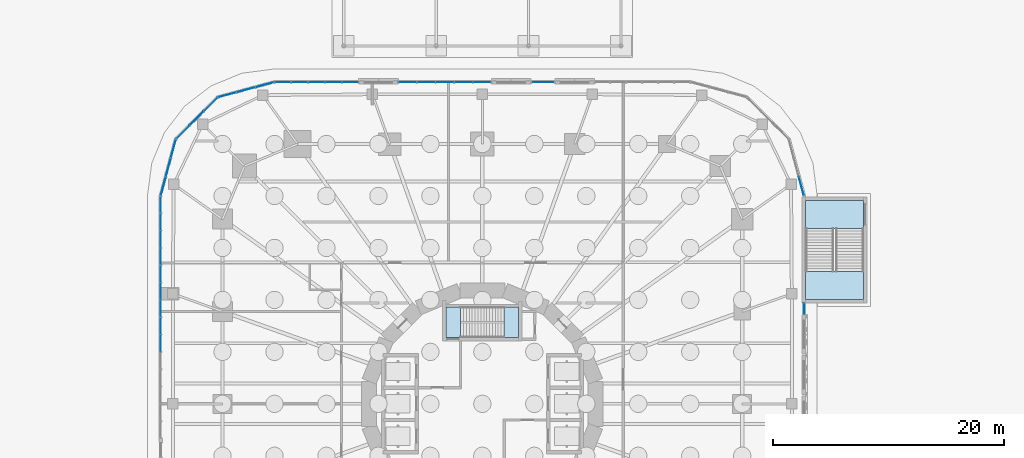
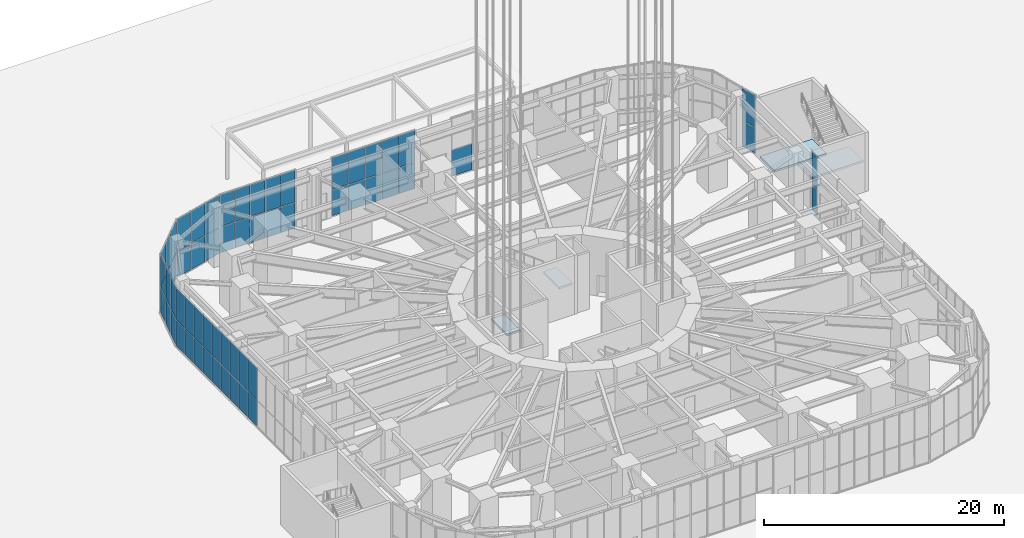
# One storey, part 24 of 43: 61 plates, 4 slabs, 11 elements without a shape of their own.
"""IFC4 building model written with IfcOpenShell, lengths in metres."""

from ifc_helpers import new_model, si_unit, direction, frame, origin, origin_2d, place, context, subcontext, project, spatial, polyline, rectangle, outline, extrude, material, layer, layer_set, type_object, element, aggregate, save


model = new_model("IFC4")

# Units and contexts
model_context = context("Model", 3, precision=1e-05, world=origin(), true_north=direction((0.0, 1.0)))
body_context = subcontext(model_context, "Body", "Model", "MODEL_VIEW")
ifc_project = project(units=[si_unit("LENGTHUNIT", "METRE"), si_unit("AREAUNIT", "SQUARE_METRE"), si_unit("VOLUMEUNIT", "CUBIC_METRE"), si_unit("PLANEANGLEUNIT", "RADIAN"), si_unit("MASSUNIT", "GRAM", prefix="KILO")], contexts=[model_context])

# Site, building, storey
site_placement = place(None, origin())
site = spatial("IfcSite", under=ifc_project, at=site_placement, CompositionType="ELEMENT")
building_placement = place(site_placement, origin())
building = spatial("IfcBuilding", under=site, at=building_placement, Name="Nakasero Lantern House", CompositionType="ELEMENT")
storey_placement = place(building_placement, origin())
storey = spatial("IfcBuildingStorey", under=building, at=storey_placement, Name="L00", CompositionType="ELEMENT", Elevation=0.0)

# Curtain wall, plates
ifc_material_1 = material(Name="Aluminium 6063-T6 and glass", Category="aluminium")
curtain_wall_type = type_object("IfcCurtainWallType", Name="Podium shopfront glazing CW-1", PredefinedType="USERDEFINED", material=ifc_material_1)
curtain_wall_1_placement = place(storey_placement, origin())
curtain_wall_1 = element("IfcCurtainWall", 1, at=curtain_wall_1_placement, inside=storey, type_object=curtain_wall_type, Name="Curtain wall CW-1 L00", ObjectType="STICK CURTAIN WALL", PredefinedType="USERDEFINED")
ifc_material_2 = material(Name="Glass", Category="glass")
ifc_layer_1 = layer(ifc_material_2, 0.028076171875)
ifc_layer_set_1 = layer_set([ifc_layer_1], Name="Glazed panel CW-1")
plate_type = type_object("IfcPlateType", Name="Glazed panel CW-1", PredefinedType="CURTAIN_PANEL", material=ifc_layer_set_1)
plate_1_placement = place(storey_placement, frame((27.85009765625, 8.22509765625, 0.06005859375), z_axis=(0.0, 0.0, 1.0), x_axis=(0.0, 1.0, 0.0)))
plate_1 = element("IfcPlate", 2, at=plate_1_placement, type_object=plate_type, Name="CW-1 panel 1.1", PredefinedType="CURTAIN_PANEL", context=body_context, shape_type="SweptSolid", body=[
    extrude(rectangle(XDim=0.929931640625, YDim=0.028076171875, at=origin_2d()), origin(), (0.0, 0.0, 1.0), 2.610107421875),
])
plate_2_placement = place(storey_placement, frame((27.85009765625, 8.22509765625, 2.72998046875), z_axis=(0.0, 0.0, 1.0), x_axis=(0.0, 1.0, 0.0)))
plate_2 = element("IfcPlate", 3, at=plate_2_placement, type_object=plate_type, Name="CW-1 panel 1.2", PredefinedType="CURTAIN_PANEL", context=body_context, shape_type="SweptSolid", body=[
    extrude(rectangle(XDim=0.929931640625, YDim=0.028076171875, at=origin_2d()), origin(), (0.0, 0.0, 1.0), 3.2099609375),
])
aggregate(curtain_wall_1, [plate_1, plate_2])

curtain_wall_2_placement = place(storey_placement, origin())
curtain_wall_2 = element("IfcCurtainWall", 4, at=curtain_wall_2_placement, inside=storey, type_object=curtain_wall_type, Name="Curtain wall CW-1 L00", ObjectType="STICK CURTAIN WALL", PredefinedType="USERDEFINED")
plate_3_placement = place(storey_placement, frame((27.626220703125, 18.835205078125, 0.06005859375), z_axis=(0.0, 0.0, 1.0), x_axis=(-0.258819045153, 0.965925826276, 0.0)))
plate_3 = element("IfcPlate", 5, at=plate_3_placement, type_object=plate_type, Name="CW-1 panel 1.1", PredefinedType="CURTAIN_PANEL", context=body_context, shape_type="SweptSolid", body=[
    extrude(rectangle(XDim=1.609619140625, YDim=0.028076171875, at=origin_2d()), origin(), (0.0, 0.0, 1.0), 2.610107421875),
])
plate_4_placement = place(storey_placement, frame((27.626220703125, 18.835205078125, 2.72998046875), z_axis=(0.0, 0.0, 1.0), x_axis=(-0.258819045153, 0.965925826276, 0.0)))
plate_4 = element("IfcPlate", 6, at=plate_4_placement, type_object=plate_type, Name="CW-1 panel 1.2", PredefinedType="CURTAIN_PANEL", context=body_context, shape_type="SweptSolid", body=[
    extrude(rectangle(XDim=1.609619140625, YDim=0.028076171875, at=origin_2d()), origin(), (0.0, 0.0, 1.0), 3.2099609375),
])
aggregate(curtain_wall_2, [plate_3, plate_4])

# Curtain wall, plate
curtain_wall_3_placement = place(storey_placement, origin())
curtain_wall_3 = element("IfcCurtainWall", 7, at=curtain_wall_3_placement, inside=storey, type_object=curtain_wall_type, Name="Curtain wall CW-1 L00", ObjectType="STICK CURTAIN WALL", PredefinedType="USERDEFINED")
plate_5_placement = place(storey_placement, frame((5.25, 27.85009765625, 0.06005859375), z_axis=(0.0, 0.0, 1.0), x_axis=(-1.0, 0.0, 0.0)))
plate_5 = element("IfcPlate", 8, at=plate_5_placement, type_object=plate_type, Name="CW-1 panel 1.1", PredefinedType="CURTAIN_PANEL", context=body_context, shape_type="SweptSolid", body=[
    extrude(rectangle(XDim=1.97998046875, YDim=0.028076171875, at=origin_2d()), origin(), (0.0, 0.0, 1.0), 2.610107421875),
])
aggregate(curtain_wall_3, [plate_5])

# Curtain wall, plates
curtain_wall_4_placement = place(storey_placement, origin())
curtain_wall_4 = element("IfcCurtainWall", 9, at=curtain_wall_4_placement, inside=storey, type_object=curtain_wall_type, Name="Curtain wall CW-1 L00", ObjectType="STICK CURTAIN WALL", PredefinedType="USERDEFINED")
plate_6_placement = place(storey_placement, frame((-0.02490234375, 27.85009765625, 0.06005859375), z_axis=(0.0, 0.0, 1.0), x_axis=(-1.0, 0.0, 0.0)))
plate_6 = element("IfcPlate", 10, at=plate_6_placement, type_object=plate_type, Name="CW-1 panel 1.1", PredefinedType="CURTAIN_PANEL", context=body_context, shape_type="SweptSolid", body=[
    extrude(rectangle(XDim=1.530029296875, YDim=0.028076171875, at=origin_2d()), origin(), (0.0, 0.0, 1.0), 2.610107421875),
])
plate_7_placement = place(storey_placement, frame((-0.02490234375, 27.85009765625, 2.72998046875), z_axis=(0.0, 0.0, 1.0), x_axis=(-1.0, 0.0, 0.0)))
plate_7 = element("IfcPlate", 11, at=plate_7_placement, type_object=plate_type, Name="CW-1 panel 1.2", PredefinedType="CURTAIN_PANEL", context=body_context, shape_type="SweptSolid", body=[
    extrude(rectangle(XDim=1.530029296875, YDim=0.028076171875, at=origin_2d()), origin(), (0.0, 0.0, 1.0), 3.2099609375),
])
plate_8_placement = place(storey_placement, frame((-1.6298828125, 27.85009765625, 0.06005859375), z_axis=(0.0, 0.0, 1.0), x_axis=(-1.0, 0.0, 0.0)))
plate_8 = element("IfcPlate", 12, at=plate_8_placement, type_object=plate_type, Name="CW-1 panel 2.1", PredefinedType="CURTAIN_PANEL", context=body_context, shape_type="SweptSolid", body=[
    extrude(rectangle(XDim=1.56005859375, YDim=0.028076171875, at=origin_2d()), origin(), (0.0, 0.0, 1.0), 2.610107421875),
])
plate_9_placement = place(storey_placement, frame((-1.6298828125, 27.85009765625, 2.72998046875), z_axis=(0.0, 0.0, 1.0), x_axis=(-1.0, 0.0, 0.0)))
plate_9 = element("IfcPlate", 13, at=plate_9_placement, type_object=plate_type, Name="CW-1 panel 2.2", PredefinedType="CURTAIN_PANEL", context=body_context, shape_type="SweptSolid", body=[
    extrude(rectangle(XDim=1.56005859375, YDim=0.028076171875, at=origin_2d()), origin(), (0.0, 0.0, 1.0), 3.2099609375),
])
plate_10_placement = place(storey_placement, frame((-3.25, 27.85009765625, 0.06005859375), z_axis=(0.0, 0.0, 1.0), x_axis=(-1.0, 0.0, 0.0)))
plate_10 = element("IfcPlate", 14, at=plate_10_placement, type_object=plate_type, Name="CW-1 panel 3.1", PredefinedType="CURTAIN_PANEL", context=body_context, shape_type="SweptSolid", body=[
    extrude(rectangle(XDim=1.56005859375, YDim=0.028076171875, at=origin_2d()), origin(), (0.0, 0.0, 1.0), 2.610107421875),
])
plate_11_placement = place(storey_placement, frame((-3.25, 27.85009765625, 2.72998046875), z_axis=(0.0, 0.0, 1.0), x_axis=(-1.0, 0.0, 0.0)))
plate_11 = element("IfcPlate", 15, at=plate_11_placement, type_object=plate_type, Name="CW-1 panel 3.2", PredefinedType="CURTAIN_PANEL", context=body_context, shape_type="SweptSolid", body=[
    extrude(rectangle(XDim=1.56005859375, YDim=0.028076171875, at=origin_2d()), origin(), (0.0, 0.0, 1.0), 3.2099609375),
])
plate_12_placement = place(storey_placement, frame((-4.8701171875, 27.85009765625, 0.06005859375), z_axis=(0.0, 0.0, 1.0), x_axis=(-1.0, 0.0, 0.0)))
plate_12 = element("IfcPlate", 16, at=plate_12_placement, type_object=plate_type, Name="CW-1 panel 4.1", PredefinedType="CURTAIN_PANEL", context=body_context, shape_type="SweptSolid", body=[
    extrude(rectangle(XDim=1.56005859375, YDim=0.028076171875, at=origin_2d()), origin(), (0.0, 0.0, 1.0), 2.610107421875),
])
plate_13_placement = place(storey_placement, frame((-4.8701171875, 27.85009765625, 2.72998046875), z_axis=(0.0, 0.0, 1.0), x_axis=(-1.0, 0.0, 0.0)))
plate_13 = element("IfcPlate", 17, at=plate_13_placement, type_object=plate_type, Name="CW-1 panel 4.2", PredefinedType="CURTAIN_PANEL", context=body_context, shape_type="SweptSolid", body=[
    extrude(rectangle(XDim=1.56005859375, YDim=0.028076171875, at=origin_2d()), origin(), (0.0, 0.0, 1.0), 3.2099609375),
])
plate_14_placement = place(storey_placement, frame((-6.47509765625, 27.85009765625, 0.06005859375), z_axis=(0.0, 0.0, 1.0), x_axis=(-1.0, 0.0, 0.0)))
plate_14 = element("IfcPlate", 18, at=plate_14_placement, type_object=plate_type, Name="CW-1 panel 5.1", PredefinedType="CURTAIN_PANEL", context=body_context, shape_type="SweptSolid", body=[
    extrude(rectangle(XDim=1.530029296875, YDim=0.028076171875, at=origin_2d()), origin(), (0.0, 0.0, 1.0), 2.610107421875),
])
plate_15_placement = place(storey_placement, frame((-6.47509765625, 27.85009765625, 2.72998046875), z_axis=(0.0, 0.0, 1.0), x_axis=(-1.0, 0.0, 0.0)))
plate_15 = element("IfcPlate", 19, at=plate_15_placement, type_object=plate_type, Name="CW-1 panel 5.2", PredefinedType="CURTAIN_PANEL", context=body_context, shape_type="SweptSolid", body=[
    extrude(rectangle(XDim=1.530029296875, YDim=0.028076171875, at=origin_2d()), origin(), (0.0, 0.0, 1.0), 3.2099609375),
])
aggregate(curtain_wall_4, [plate_6, plate_7, plate_8, plate_9, plate_10, plate_11, plate_12, plate_13, plate_14, plate_15])

curtain_wall_5_placement = place(storey_placement, origin())
curtain_wall_5 = element("IfcCurtainWall", 20, at=curtain_wall_5_placement, inside=storey, type_object=curtain_wall_type, Name="Curtain wall CW-1 L00", ObjectType="STICK CURTAIN WALL", PredefinedType="USERDEFINED")
plate_16_placement = place(storey_placement, frame((-11.445068359375, 27.85009765625, 0.06005859375), z_axis=(0.0, 0.0, 1.0), x_axis=(-1.0, 0.0, 0.0)))
plate_16 = element("IfcPlate", 21, at=plate_16_placement, type_object=plate_type, Name="CW-1 panel 1.1", PredefinedType="CURTAIN_PANEL", context=body_context, shape_type="SweptSolid", body=[
    extrude(rectangle(XDim=1.3701171875, YDim=0.028076171875, at=origin_2d()), origin(), (0.0, 0.0, 1.0), 2.610107421875),
])
plate_17_placement = place(storey_placement, frame((-11.445068359375, 27.85009765625, 2.72998046875), z_axis=(0.0, 0.0, 1.0), x_axis=(-1.0, 0.0, 0.0)))
plate_17 = element("IfcPlate", 22, at=plate_17_placement, type_object=plate_type, Name="CW-1 panel 1.2", PredefinedType="CURTAIN_PANEL", context=body_context, shape_type="SweptSolid", body=[
    extrude(rectangle(XDim=1.3701171875, YDim=0.028076171875, at=origin_2d()), origin(), (0.0, 0.0, 1.0), 3.2099609375),
])
plate_18_placement = place(storey_placement, frame((-12.889892578125, 27.85009765625, 0.06005859375), z_axis=(0.0, 0.0, 1.0), x_axis=(-1.0, 0.0, 0.0)))
plate_18 = element("IfcPlate", 23, at=plate_18_placement, type_object=plate_type, Name="CW-1 panel 2.1", PredefinedType="CURTAIN_PANEL", context=body_context, shape_type="SweptSolid", body=[
    extrude(rectangle(XDim=1.39990234375, YDim=0.028076171875, at=origin_2d()), origin(), (0.0, 0.0, 1.0), 2.610107421875),
])
plate_19_placement = place(storey_placement, frame((-12.889892578125, 27.85009765625, 2.72998046875), z_axis=(0.0, 0.0, 1.0), x_axis=(-1.0, 0.0, 0.0)))
plate_19 = element("IfcPlate", 24, at=plate_19_placement, type_object=plate_type, Name="CW-1 panel 2.2", PredefinedType="CURTAIN_PANEL", context=body_context, shape_type="SweptSolid", body=[
    extrude(rectangle(XDim=1.39990234375, YDim=0.028076171875, at=origin_2d()), origin(), (0.0, 0.0, 1.0), 3.2099609375),
])
plate_20_placement = place(storey_placement, frame((-14.35009765625, 27.85009765625, 0.06005859375), z_axis=(0.0, 0.0, 1.0), x_axis=(-1.0, 0.0, 0.0)))
plate_20 = element("IfcPlate", 25, at=plate_20_placement, type_object=plate_type, Name="CW-1 panel 3.1", PredefinedType="CURTAIN_PANEL", context=body_context, shape_type="SweptSolid", body=[
    extrude(rectangle(XDim=1.39990234375, YDim=0.028076171875, at=origin_2d()), origin(), (0.0, 0.0, 1.0), 2.610107421875),
])
plate_21_placement = place(storey_placement, frame((-14.35009765625, 27.85009765625, 2.72998046875), z_axis=(0.0, 0.0, 1.0), x_axis=(-1.0, 0.0, 0.0)))
plate_21 = element("IfcPlate", 26, at=plate_21_placement, type_object=plate_type, Name="CW-1 panel 3.2", PredefinedType="CURTAIN_PANEL", context=body_context, shape_type="SweptSolid", body=[
    extrude(rectangle(XDim=1.39990234375, YDim=0.028076171875, at=origin_2d()), origin(), (0.0, 0.0, 1.0), 3.2099609375),
])
plate_22_placement = place(storey_placement, frame((-15.81005859375, 27.85009765625, 0.06005859375), z_axis=(0.0, 0.0, 1.0), x_axis=(-1.0, 0.0, 0.0)))
plate_22 = element("IfcPlate", 27, at=plate_22_placement, type_object=plate_type, Name="CW-1 panel 4.1", PredefinedType="CURTAIN_PANEL", context=body_context, shape_type="SweptSolid", body=[
    extrude(rectangle(XDim=1.39990234375, YDim=0.028076171875, at=origin_2d()), origin(), (0.0, 0.0, 1.0), 2.610107421875),
])
plate_23_placement = place(storey_placement, frame((-15.81005859375, 27.85009765625, 2.72998046875), z_axis=(0.0, 0.0, 1.0), x_axis=(-1.0, 0.0, 0.0)))
plate_23 = element("IfcPlate", 28, at=plate_23_placement, type_object=plate_type, Name="CW-1 panel 4.2", PredefinedType="CURTAIN_PANEL", context=body_context, shape_type="SweptSolid", body=[
    extrude(rectangle(XDim=1.39990234375, YDim=0.028076171875, at=origin_2d()), origin(), (0.0, 0.0, 1.0), 3.2099609375),
])
plate_24_placement = place(storey_placement, frame((-17.2548828125, 27.85009765625, 0.06005859375), z_axis=(0.0, 0.0, 1.0), x_axis=(-1.0, 0.0, 0.0)))
plate_24 = element("IfcPlate", 29, at=plate_24_placement, type_object=plate_type, Name="CW-1 panel 5.1", PredefinedType="CURTAIN_PANEL", context=body_context, shape_type="SweptSolid", body=[
    extrude(rectangle(XDim=1.3701171875, YDim=0.028076171875, at=origin_2d()), origin(), (0.0, 0.0, 1.0), 2.610107421875),
])
plate_25_placement = place(storey_placement, frame((-17.2548828125, 27.85009765625, 2.72998046875), z_axis=(0.0, 0.0, 1.0), x_axis=(-1.0, 0.0, 0.0)))
plate_25 = element("IfcPlate", 30, at=plate_25_placement, type_object=plate_type, Name="CW-1 panel 5.2", PredefinedType="CURTAIN_PANEL", context=body_context, shape_type="SweptSolid", body=[
    extrude(rectangle(XDim=1.3701171875, YDim=0.028076171875, at=origin_2d()), origin(), (0.0, 0.0, 1.0), 3.2099609375),
])
aggregate(curtain_wall_5, [plate_16, plate_17, plate_18, plate_19, plate_20, plate_21, plate_22, plate_23, plate_24, plate_25])

curtain_wall_6_placement = place(storey_placement, origin())
curtain_wall_6 = element("IfcCurtainWall", 31, at=curtain_wall_6_placement, inside=storey, type_object=curtain_wall_type, Name="Curtain wall CW-1 L00", ObjectType="STICK CURTAIN WALL", PredefinedType="USERDEFINED")
plate_26_placement = place(storey_placement, frame((-18.835205078125, 27.626220703125, 0.06005859375), z_axis=(0.0, 0.0, 1.0), x_axis=(-0.965925826276, -0.258819045153, 0.0)))
plate_26 = element("IfcPlate", 32, at=plate_26_placement, type_object=plate_type, Name="CW-1 panel 1.1", PredefinedType="CURTAIN_PANEL", context=body_context, shape_type="SweptSolid", body=[
    extrude(rectangle(XDim=1.609619140625, YDim=0.028076171875, at=origin_2d()), origin(), (0.0, 0.0, 1.0), 2.610107421875),
])
plate_27_placement = place(storey_placement, frame((-18.835205078125, 27.626220703125, 2.72998046875), z_axis=(0.0, 0.0, 1.0), x_axis=(-0.965925826276, -0.258819045153, 0.0)))
plate_27 = element("IfcPlate", 33, at=plate_27_placement, type_object=plate_type, Name="CW-1 panel 1.2", PredefinedType="CURTAIN_PANEL", context=body_context, shape_type="SweptSolid", body=[
    extrude(rectangle(XDim=1.609619140625, YDim=0.028076171875, at=origin_2d()), origin(), (0.0, 0.0, 1.0), 3.2099609375),
])
plate_28_placement = place(storey_placement, frame((-20.46240234375, 27.190185546875, 0.06005859375), z_axis=(0.0, 0.0, 1.0), x_axis=(-0.965925826276, -0.258819045153, 0.0)))
plate_28 = element("IfcPlate", 34, at=plate_28_placement, type_object=plate_type, Name="CW-1 panel 2.1", PredefinedType="CURTAIN_PANEL", context=body_context, shape_type="SweptSolid", body=[
    extrude(rectangle(XDim=1.6396484375, YDim=0.028076171875, at=origin_2d()), origin(), (0.0, 0.0, 1.0), 2.610107421875),
])
plate_29_placement = place(storey_placement, frame((-20.46240234375, 27.190185546875, 2.72998046875), z_axis=(0.0, 0.0, 1.0), x_axis=(-0.965925826276, -0.258819045153, 0.0)))
plate_29 = element("IfcPlate", 35, at=plate_29_placement, type_object=plate_type, Name="CW-1 panel 2.2", PredefinedType="CURTAIN_PANEL", context=body_context, shape_type="SweptSolid", body=[
    extrude(rectangle(XDim=1.6396484375, YDim=0.028076171875, at=origin_2d()), origin(), (0.0, 0.0, 1.0), 3.2099609375),
])
plate_30_placement = place(storey_placement, frame((-22.089599609375, 26.754150390625, 0.06005859375), z_axis=(0.0, 0.0, 1.0), x_axis=(-0.965925826276, -0.258819045153, 0.0)))
plate_30 = element("IfcPlate", 36, at=plate_30_placement, type_object=plate_type, Name="CW-1 panel 3.1", PredefinedType="CURTAIN_PANEL", context=body_context, shape_type="SweptSolid", body=[
    extrude(rectangle(XDim=1.609619140625, YDim=0.028076171875, at=origin_2d()), origin(), (0.0, 0.0, 1.0), 2.610107421875),
])
plate_31_placement = place(storey_placement, frame((-22.089599609375, 26.754150390625, 2.72998046875), z_axis=(0.0, 0.0, 1.0), x_axis=(-0.965925826276, -0.258819045153, 0.0)))
plate_31 = element("IfcPlate", 37, at=plate_31_placement, type_object=plate_type, Name="CW-1 panel 3.2", PredefinedType="CURTAIN_PANEL", context=body_context, shape_type="SweptSolid", body=[
    extrude(rectangle(XDim=1.609619140625, YDim=0.028076171875, at=origin_2d()), origin(), (0.0, 0.0, 1.0), 3.2099609375),
])
aggregate(curtain_wall_6, [plate_26, plate_27, plate_28, plate_29, plate_30, plate_31])

curtain_wall_7_placement = place(storey_placement, origin())
curtain_wall_7 = element("IfcCurtainWall", 38, at=curtain_wall_7_placement, inside=storey, type_object=curtain_wall_type, Name="Curtain wall CW-1 L00", ObjectType="STICK CURTAIN WALL", PredefinedType="USERDEFINED")
plate_32_placement = place(storey_placement, frame((-23.536376953125, 25.9189453125, 0.06005859375), z_axis=(0.0, 0.0, 1.0), x_axis=(-0.707106781187, -0.707106781187, 0.0)))
plate_32 = element("IfcPlate", 39, at=plate_32_placement, type_object=plate_type, Name="CW-1 panel 1.1", PredefinedType="CURTAIN_PANEL", context=body_context, shape_type="SweptSolid", body=[
    extrude(rectangle(XDim=1.609619140625, YDim=0.028076171875, at=origin_2d()), origin(), (0.0, 0.0, 1.0), 2.610107421875),
])
plate_33_placement = place(storey_placement, frame((-23.536376953125, 25.9189453125, 2.72998046875), z_axis=(0.0, 0.0, 1.0), x_axis=(-0.707106781187, -0.707106781187, 0.0)))
plate_33 = element("IfcPlate", 40, at=plate_33_placement, type_object=plate_type, Name="CW-1 panel 1.2", PredefinedType="CURTAIN_PANEL", context=body_context, shape_type="SweptSolid", body=[
    extrude(rectangle(XDim=1.609619140625, YDim=0.028076171875, at=origin_2d()), origin(), (0.0, 0.0, 1.0), 3.2099609375),
])
plate_34_placement = place(storey_placement, frame((-24.727783203125, 24.727783203125, 0.06005859375), z_axis=(0.0, 0.0, 1.0), x_axis=(-0.707106781187, -0.707106781187, 0.0)))
plate_34 = element("IfcPlate", 41, at=plate_34_placement, type_object=plate_type, Name="CW-1 panel 2.1", PredefinedType="CURTAIN_PANEL", context=body_context, shape_type="SweptSolid", body=[
    extrude(rectangle(XDim=1.6396484375, YDim=0.028076171875, at=origin_2d()), origin(), (0.0, 0.0, 1.0), 2.610107421875),
])
plate_35_placement = place(storey_placement, frame((-24.727783203125, 24.727783203125, 2.72998046875), z_axis=(0.0, 0.0, 1.0), x_axis=(-0.707106781187, -0.707106781187, 0.0)))
plate_35 = element("IfcPlate", 42, at=plate_35_placement, type_object=plate_type, Name="CW-1 panel 2.2", PredefinedType="CURTAIN_PANEL", context=body_context, shape_type="SweptSolid", body=[
    extrude(rectangle(XDim=1.6396484375, YDim=0.028076171875, at=origin_2d()), origin(), (0.0, 0.0, 1.0), 3.2099609375),
])
plate_36_placement = place(storey_placement, frame((-25.9189453125, 23.536376953125, 0.06005859375), z_axis=(0.0, 0.0, 1.0), x_axis=(-0.707106781187, -0.707106781187, 0.0)))
plate_36 = element("IfcPlate", 43, at=plate_36_placement, type_object=plate_type, Name="CW-1 panel 3.1", PredefinedType="CURTAIN_PANEL", context=body_context, shape_type="SweptSolid", body=[
    extrude(rectangle(XDim=1.609619140625, YDim=0.028076171875, at=origin_2d()), origin(), (0.0, 0.0, 1.0), 2.610107421875),
])
plate_37_placement = place(storey_placement, frame((-25.9189453125, 23.536376953125, 2.72998046875), z_axis=(0.0, 0.0, 1.0), x_axis=(-0.707106781187, -0.707106781187, 0.0)))
plate_37 = element("IfcPlate", 44, at=plate_37_placement, type_object=plate_type, Name="CW-1 panel 3.2", PredefinedType="CURTAIN_PANEL", context=body_context, shape_type="SweptSolid", body=[
    extrude(rectangle(XDim=1.609619140625, YDim=0.028076171875, at=origin_2d()), origin(), (0.0, 0.0, 1.0), 3.2099609375),
])
aggregate(curtain_wall_7, [plate_32, plate_33, plate_34, plate_35, plate_36, plate_37])

curtain_wall_8_placement = place(storey_placement, origin())
curtain_wall_8 = element("IfcCurtainWall", 45, at=curtain_wall_8_placement, inside=storey, type_object=curtain_wall_type, Name="Curtain wall CW-1 L00", ObjectType="STICK CURTAIN WALL", PredefinedType="USERDEFINED")
plate_38_placement = place(storey_placement, frame((-26.754150390625, 22.089599609375, 0.06005859375), z_axis=(0.0, 0.0, 1.0), x_axis=(-0.258819045153, -0.965925826276, 0.0)))
plate_38 = element("IfcPlate", 46, at=plate_38_placement, type_object=plate_type, Name="CW-1 panel 1.1", PredefinedType="CURTAIN_PANEL", context=body_context, shape_type="SweptSolid", body=[
    extrude(rectangle(XDim=1.609619140625, YDim=0.028076171875, at=origin_2d()), origin(), (0.0, 0.0, 1.0), 2.610107421875),
])
plate_39_placement = place(storey_placement, frame((-26.754150390625, 22.089599609375, 2.72998046875), z_axis=(0.0, 0.0, 1.0), x_axis=(-0.258819045153, -0.965925826276, 0.0)))
plate_39 = element("IfcPlate", 47, at=plate_39_placement, type_object=plate_type, Name="CW-1 panel 1.2", PredefinedType="CURTAIN_PANEL", context=body_context, shape_type="SweptSolid", body=[
    extrude(rectangle(XDim=1.609619140625, YDim=0.028076171875, at=origin_2d()), origin(), (0.0, 0.0, 1.0), 3.2099609375),
])
plate_40_placement = place(storey_placement, frame((-27.190185546875, 20.46240234375, 0.06005859375), z_axis=(0.0, 0.0, 1.0), x_axis=(-0.258819045153, -0.965925826276, 0.0)))
plate_40 = element("IfcPlate", 48, at=plate_40_placement, type_object=plate_type, Name="CW-1 panel 2.1", PredefinedType="CURTAIN_PANEL", context=body_context, shape_type="SweptSolid", body=[
    extrude(rectangle(XDim=1.6396484375, YDim=0.028076171875, at=origin_2d()), origin(), (0.0, 0.0, 1.0), 2.610107421875),
])
plate_41_placement = place(storey_placement, frame((-27.190185546875, 20.46240234375, 2.72998046875), z_axis=(0.0, 0.0, 1.0), x_axis=(-0.258819045153, -0.965925826276, 0.0)))
plate_41 = element("IfcPlate", 49, at=plate_41_placement, type_object=plate_type, Name="CW-1 panel 2.2", PredefinedType="CURTAIN_PANEL", context=body_context, shape_type="SweptSolid", body=[
    extrude(rectangle(XDim=1.6396484375, YDim=0.028076171875, at=origin_2d()), origin(), (0.0, 0.0, 1.0), 3.2099609375),
])
plate_42_placement = place(storey_placement, frame((-27.626220703125, 18.835205078125, 0.06005859375), z_axis=(0.0, 0.0, 1.0), x_axis=(-0.258819045153, -0.965925826276, 0.0)))
plate_42 = element("IfcPlate", 50, at=plate_42_placement, type_object=plate_type, Name="CW-1 panel 3.1", PredefinedType="CURTAIN_PANEL", context=body_context, shape_type="SweptSolid", body=[
    extrude(rectangle(XDim=1.609619140625, YDim=0.028076171875, at=origin_2d()), origin(), (0.0, 0.0, 1.0), 2.610107421875),
])
plate_43_placement = place(storey_placement, frame((-27.626220703125, 18.835205078125, 2.72998046875), z_axis=(0.0, 0.0, 1.0), x_axis=(-0.258819045153, -0.965925826276, 0.0)))
plate_43 = element("IfcPlate", 51, at=plate_43_placement, type_object=plate_type, Name="CW-1 panel 3.2", PredefinedType="CURTAIN_PANEL", context=body_context, shape_type="SweptSolid", body=[
    extrude(rectangle(XDim=1.609619140625, YDim=0.028076171875, at=origin_2d()), origin(), (0.0, 0.0, 1.0), 3.2099609375),
])
aggregate(curtain_wall_8, [plate_38, plate_39, plate_40, plate_41, plate_42, plate_43])

curtain_wall_9_placement = place(storey_placement, origin())
curtain_wall_9 = element("IfcCurtainWall", 52, at=curtain_wall_9_placement, inside=storey, type_object=curtain_wall_type, Name="Curtain wall CW-1 L00", ObjectType="STICK CURTAIN WALL", PredefinedType="USERDEFINED")
plate_44_placement = place(storey_placement, frame((-27.85009765625, 17.235107421875, 0.06005859375), z_axis=(0.0, 0.0, 1.0), x_axis=(0.0, -1.0, 0.0)))
plate_44 = element("IfcPlate", 53, at=plate_44_placement, type_object=plate_type, Name="CW-1 panel 1.1", PredefinedType="CURTAIN_PANEL", context=body_context, shape_type="SweptSolid", body=[
    extrude(rectangle(XDim=1.409912109375, YDim=0.028076171875, at=origin_2d()), origin(), (0.0, 0.0, 1.0), 2.610107421875),
])
plate_45_placement = place(storey_placement, frame((-27.85009765625, 17.235107421875, 2.72998046875), z_axis=(0.0, 0.0, 1.0), x_axis=(0.0, -1.0, 0.0)))
plate_45 = element("IfcPlate", 54, at=plate_45_placement, type_object=plate_type, Name="CW-1 panel 1.2", PredefinedType="CURTAIN_PANEL", context=body_context, shape_type="SweptSolid", body=[
    extrude(rectangle(XDim=1.409912109375, YDim=0.028076171875, at=origin_2d()), origin(), (0.0, 0.0, 1.0), 3.2099609375),
])
plate_46_placement = place(storey_placement, frame((-27.85009765625, 15.75, 0.06005859375), z_axis=(0.0, 0.0, 1.0), x_axis=(0.0, -1.0, 0.0)))
plate_46 = element("IfcPlate", 55, at=plate_46_placement, type_object=plate_type, Name="CW-1 panel 2.1", PredefinedType="CURTAIN_PANEL", context=body_context, shape_type="SweptSolid", body=[
    extrude(rectangle(XDim=1.43994140625, YDim=0.028076171875, at=origin_2d()), origin(), (0.0, 0.0, 1.0), 2.610107421875),
])
plate_47_placement = place(storey_placement, frame((-27.85009765625, 15.75, 2.72998046875), z_axis=(0.0, 0.0, 1.0), x_axis=(0.0, -1.0, 0.0)))
plate_47 = element("IfcPlate", 56, at=plate_47_placement, type_object=plate_type, Name="CW-1 panel 2.2", PredefinedType="CURTAIN_PANEL", context=body_context, shape_type="SweptSolid", body=[
    extrude(rectangle(XDim=1.43994140625, YDim=0.028076171875, at=origin_2d()), origin(), (0.0, 0.0, 1.0), 3.2099609375),
])
plate_48_placement = place(storey_placement, frame((-27.85009765625, 14.25, 0.06005859375), z_axis=(0.0, 0.0, 1.0), x_axis=(0.0, -1.0, 0.0)))
plate_48 = element("IfcPlate", 57, at=plate_48_placement, type_object=plate_type, Name="CW-1 panel 3.1", PredefinedType="CURTAIN_PANEL", context=body_context, shape_type="SweptSolid", body=[
    extrude(rectangle(XDim=1.43994140625, YDim=0.028076171875, at=origin_2d()), origin(), (0.0, 0.0, 1.0), 2.610107421875),
])
plate_49_placement = place(storey_placement, frame((-27.85009765625, 14.25, 2.72998046875), z_axis=(0.0, 0.0, 1.0), x_axis=(0.0, -1.0, 0.0)))
plate_49 = element("IfcPlate", 58, at=plate_49_placement, type_object=plate_type, Name="CW-1 panel 3.2", PredefinedType="CURTAIN_PANEL", context=body_context, shape_type="SweptSolid", body=[
    extrude(rectangle(XDim=1.43994140625, YDim=0.028076171875, at=origin_2d()), origin(), (0.0, 0.0, 1.0), 3.2099609375),
])
plate_50_placement = place(storey_placement, frame((-27.85009765625, 12.75, 0.06005859375), z_axis=(0.0, 0.0, 1.0), x_axis=(0.0, -1.0, 0.0)))
plate_50 = element("IfcPlate", 59, at=plate_50_placement, type_object=plate_type, Name="CW-1 panel 4.1", PredefinedType="CURTAIN_PANEL", context=body_context, shape_type="SweptSolid", body=[
    extrude(rectangle(XDim=1.43994140625, YDim=0.028076171875, at=origin_2d()), origin(), (0.0, 0.0, 1.0), 2.610107421875),
])
plate_51_placement = place(storey_placement, frame((-27.85009765625, 12.75, 2.72998046875), z_axis=(0.0, 0.0, 1.0), x_axis=(0.0, -1.0, 0.0)))
plate_51 = element("IfcPlate", 60, at=plate_51_placement, type_object=plate_type, Name="CW-1 panel 4.2", PredefinedType="CURTAIN_PANEL", context=body_context, shape_type="SweptSolid", body=[
    extrude(rectangle(XDim=1.43994140625, YDim=0.028076171875, at=origin_2d()), origin(), (0.0, 0.0, 1.0), 3.2099609375),
])
plate_52_placement = place(storey_placement, frame((-27.85009765625, 11.25, 0.06005859375), z_axis=(0.0, 0.0, 1.0), x_axis=(0.0, -1.0, 0.0)))
plate_52 = element("IfcPlate", 61, at=plate_52_placement, type_object=plate_type, Name="CW-1 panel 5.1", PredefinedType="CURTAIN_PANEL", context=body_context, shape_type="SweptSolid", body=[
    extrude(rectangle(XDim=1.43994140625, YDim=0.028076171875, at=origin_2d()), origin(), (0.0, 0.0, 1.0), 2.610107421875),
])
plate_53_placement = place(storey_placement, frame((-27.85009765625, 11.25, 2.72998046875), z_axis=(0.0, 0.0, 1.0), x_axis=(0.0, -1.0, 0.0)))
plate_53 = element("IfcPlate", 62, at=plate_53_placement, type_object=plate_type, Name="CW-1 panel 5.2", PredefinedType="CURTAIN_PANEL", context=body_context, shape_type="SweptSolid", body=[
    extrude(rectangle(XDim=1.43994140625, YDim=0.028076171875, at=origin_2d()), origin(), (0.0, 0.0, 1.0), 3.2099609375),
])
plate_54_placement = place(storey_placement, frame((-27.85009765625, 9.75, 0.06005859375), z_axis=(0.0, 0.0, 1.0), x_axis=(0.0, -1.0, 0.0)))
plate_54 = element("IfcPlate", 63, at=plate_54_placement, type_object=plate_type, Name="CW-1 panel 6.1", PredefinedType="CURTAIN_PANEL", context=body_context, shape_type="SweptSolid", body=[
    extrude(rectangle(XDim=1.43994140625, YDim=0.028076171875, at=origin_2d()), origin(), (0.0, 0.0, 1.0), 2.610107421875),
])
plate_55_placement = place(storey_placement, frame((-27.85009765625, 9.75, 2.72998046875), z_axis=(0.0, 0.0, 1.0), x_axis=(0.0, -1.0, 0.0)))
plate_55 = element("IfcPlate", 64, at=plate_55_placement, type_object=plate_type, Name="CW-1 panel 6.2", PredefinedType="CURTAIN_PANEL", context=body_context, shape_type="SweptSolid", body=[
    extrude(rectangle(XDim=1.43994140625, YDim=0.028076171875, at=origin_2d()), origin(), (0.0, 0.0, 1.0), 3.2099609375),
])
plate_56_placement = place(storey_placement, frame((-27.85009765625, 8.25, 0.06005859375), z_axis=(0.0, 0.0, 1.0), x_axis=(0.0, -1.0, 0.0)))
plate_56 = element("IfcPlate", 65, at=plate_56_placement, type_object=plate_type, Name="CW-1 panel 7.1", PredefinedType="CURTAIN_PANEL", context=body_context, shape_type="SweptSolid", body=[
    extrude(rectangle(XDim=1.43994140625, YDim=0.028076171875, at=origin_2d()), origin(), (0.0, 0.0, 1.0), 2.610107421875),
])
plate_57_placement = place(storey_placement, frame((-27.85009765625, 8.25, 2.72998046875), z_axis=(0.0, 0.0, 1.0), x_axis=(0.0, -1.0, 0.0)))
plate_57 = element("IfcPlate", 66, at=plate_57_placement, type_object=plate_type, Name="CW-1 panel 7.2", PredefinedType="CURTAIN_PANEL", context=body_context, shape_type="SweptSolid", body=[
    extrude(rectangle(XDim=1.43994140625, YDim=0.028076171875, at=origin_2d()), origin(), (0.0, 0.0, 1.0), 3.2099609375),
])
plate_58_placement = place(storey_placement, frame((-27.85009765625, 6.75, 0.06005859375), z_axis=(0.0, 0.0, 1.0), x_axis=(0.0, -1.0, 0.0)))
plate_58 = element("IfcPlate", 67, at=plate_58_placement, type_object=plate_type, Name="CW-1 panel 8.1", PredefinedType="CURTAIN_PANEL", context=body_context, shape_type="SweptSolid", body=[
    extrude(rectangle(XDim=1.43994140625, YDim=0.028076171875, at=origin_2d()), origin(), (0.0, 0.0, 1.0), 2.610107421875),
])
plate_59_placement = place(storey_placement, frame((-27.85009765625, 6.75, 2.72998046875), z_axis=(0.0, 0.0, 1.0), x_axis=(0.0, -1.0, 0.0)))
plate_59 = element("IfcPlate", 68, at=plate_59_placement, type_object=plate_type, Name="CW-1 panel 8.2", PredefinedType="CURTAIN_PANEL", context=body_context, shape_type="SweptSolid", body=[
    extrude(rectangle(XDim=1.43994140625, YDim=0.028076171875, at=origin_2d()), origin(), (0.0, 0.0, 1.0), 3.2099609375),
])
plate_60_placement = place(storey_placement, frame((-27.85009765625, 5.25, 0.06005859375), z_axis=(0.0, 0.0, 1.0), x_axis=(0.0, -1.0, 0.0)))
plate_60 = element("IfcPlate", 69, at=plate_60_placement, type_object=plate_type, Name="CW-1 panel 9.1", PredefinedType="CURTAIN_PANEL", context=body_context, shape_type="SweptSolid", body=[
    extrude(rectangle(XDim=1.43994140625, YDim=0.028076171875, at=origin_2d()), origin(), (0.0, 0.0, 1.0), 2.610107421875),
])
plate_61_placement = place(storey_placement, frame((-27.85009765625, 5.25, 2.72998046875), z_axis=(0.0, 0.0, 1.0), x_axis=(0.0, -1.0, 0.0)))
plate_61 = element("IfcPlate", 70, at=plate_61_placement, type_object=plate_type, Name="CW-1 panel 9.2", PredefinedType="CURTAIN_PANEL", context=body_context, shape_type="SweptSolid", body=[
    extrude(rectangle(XDim=1.43994140625, YDim=0.028076171875, at=origin_2d()), origin(), (0.0, 0.0, 1.0), 3.2099609375),
])
aggregate(curtain_wall_9, [plate_44, plate_45, plate_46, plate_47, plate_48, plate_49, plate_50, plate_51, plate_52, plate_53, plate_54, plate_55, plate_56, plate_57, plate_58, plate_59, plate_60, plate_61])

# Stair, slabs
ifc_material_3 = material(Name="Concrete C40/50", Category="concrete")
stair_type_1 = type_object("IfcStairType", Name="Escape stair ST1 32 risers", PredefinedType="HALF_TURN_STAIR", material=ifc_material_3)
stair_1_placement = place(storey_placement, origin())
stair_1 = element("IfcStair", 71, at=stair_1_placement, inside=storey, type_object=stair_type_1, Name="Escape stair ST1 L00", PredefinedType="HALF_TURN_STAIR")
ifc_material_4 = material(Name="Concrete C40/50", Category="concrete")
ifc_layer_2 = layer(ifc_material_4, 0.199951171875)
ifc_layer_set_2 = layer_set([ifc_layer_2], Name="Stair landing 200")
slab_type = type_object("IfcSlabType", Name="Stair landing 200", PredefinedType="LANDING", material=ifc_layer_set_2)
slab_1_placement = place(storey_placement, frame((0.0, 0.0, -0.199951171875)))
slab_1 = element("IfcSlab", 72, at=slab_1_placement, type_object=slab_type, Name="ST1 landing 1", PredefinedType="LANDING", context=body_context, shape_type="SweptSolid", body=[
    extrude(outline(polyline([(-3.14990234375, 5.75), (-1.875, 5.75), (-1.875, 8.39990234375), (-3.14990234375, 8.39990234375), (-3.14990234375, 5.75)])), origin(), (0.0, 0.0, 1.0), 0.199951171875),
])
slab_2_placement = place(storey_placement, frame((0.0, 0.0, 2.800048828125)))
slab_2 = element("IfcSlab", 73, at=slab_2_placement, type_object=slab_type, Name="ST1 landing 2", PredefinedType="LANDING", context=body_context, shape_type="SweptSolid", body=[
    extrude(outline(polyline([(1.875, 5.75), (3.14990234375, 5.75), (3.14990234375, 8.39990234375), (1.875, 8.39990234375), (1.875, 5.75)])), origin(), (0.0, 0.0, 1.0), 0.199951171875),
])
aggregate(stair_1, [slab_1, slab_2])

ifc_material_5 = material(Name="Concrete C40/50", Category="concrete")
stair_type_2 = type_object("IfcStairType", Name="Escape stair PS1 32 risers 188", PredefinedType="HALF_TURN_STAIR", material=ifc_material_5)
stair_2_placement = place(storey_placement, origin())
stair_2 = element("IfcStair", 74, at=stair_2_placement, inside=storey, type_object=stair_type_2, Name="Escape stair PS1 L00", PredefinedType="HALF_TURN_STAIR")
slab_3_placement = place(storey_placement, frame((0.0, 0.0, -0.199951171875)))
slab_3 = element("IfcSlab", 75, at=slab_3_placement, type_object=slab_type, Name="PS1 landing 1", PredefinedType="LANDING", context=body_context, shape_type="SweptSolid", body=[
    extrude(outline(polyline([(28.0, 15.199951171875), (33.0, 15.199951171875), (33.0, 17.60009765625), (28.0, 17.60009765625), (28.0, 15.199951171875)])), origin(), (0.0, 0.0, 1.0), 0.199951171875),
])
slab_4_placement = place(storey_placement, frame((0.0, 0.0, 2.800048828125)))
slab_4 = element("IfcSlab", 76, at=slab_4_placement, type_object=slab_type, Name="PS1 landing 2", PredefinedType="LANDING", context=body_context, shape_type="SweptSolid", body=[
    extrude(outline(polyline([(28.0, 9.050048828125), (33.0, 9.050048828125), (33.0, 11.449951171875), (28.0, 11.449951171875), (28.0, 9.050048828125)])), origin(), (0.0, 0.0, 1.0), 0.199951171875),
])
aggregate(stair_2, [slab_3, slab_4])

save(model, "model.ifc")
